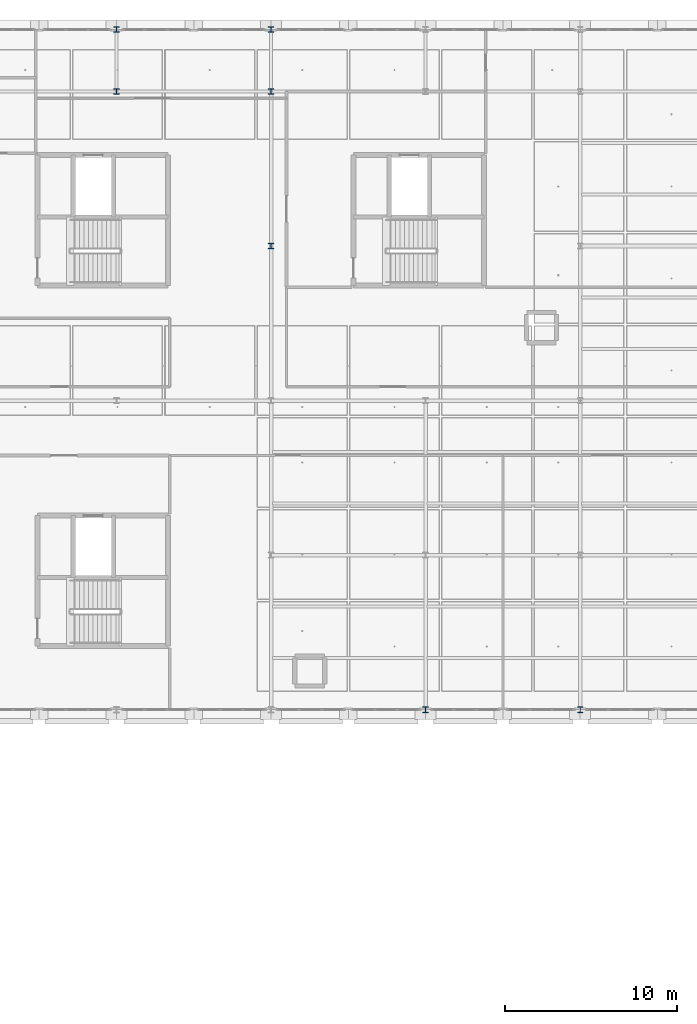
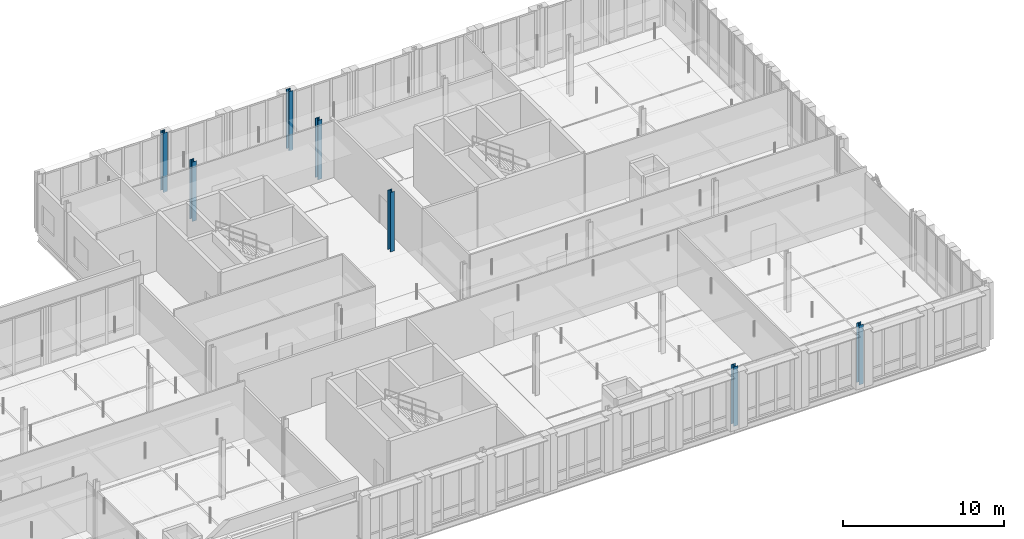
# One storey, part 13 of 89: 7 columns.
"""IFC4 building model written with IfcOpenShell, lengths in metres."""

from ifc_helpers import new_model, si_unit, direction, frame, origin, origin_2d, place, context, subcontext, project, spatial, i_section, extrude, material, material_profile, profile_set, type_object, element, save


model = new_model("IFC4")

# Units and contexts
model_context = context("Model", 3, precision=1e-05, world=origin(), true_north=direction((0.0, 1.0)))
body_context = subcontext(model_context, "Body", "Model", "MODEL_VIEW")
ifc_project = project(units=[si_unit("LENGTHUNIT", "METRE"), si_unit("AREAUNIT", "SQUARE_METRE"), si_unit("VOLUMEUNIT", "CUBIC_METRE"), si_unit("PLANEANGLEUNIT", "RADIAN"), si_unit("MASSUNIT", "GRAM", prefix="KILO"), si_unit("THERMODYNAMICTEMPERATUREUNIT", "KELVIN"), si_unit("POWERUNIT", "WATT")], contexts=[model_context])

# Site, building, storey
site_placement = place(None, origin())
site = spatial("IfcSite", under=ifc_project, at=site_placement, CompositionType="ELEMENT")
building_placement = place(site_placement, origin())
building = spatial("IfcBuilding", under=site, at=building_placement, Name="Tallowbark Science Centre", CompositionType="ELEMENT")
storey_placement = place(building_placement, frame((0.0, 0.0, 14.39990234375)))
storey = spatial("IfcBuildingStorey", under=building, at=storey_placement, Name="L03", CompositionType="ELEMENT", Elevation=14.39990234375)

# Columns
ifc_material = material(Name="Structural Steel Grade 300PLUS (300 MPa)", Category="steel")
ifc_material_profile = material_profile(ifc_material, i_section(OverallWidth=0.311279296875, OverallDepth=0.3271484375, WebThickness=0.015625, FlangeThickness=0.02490234375, FilletRadius=0.0166015625, at=origin_2d()), Name="310UC158")
ifc_profile_set = profile_set([ifc_material_profile], Name="Structural Steel Grade 300PLUS (300 MPa)")
column_type = type_object("IfcColumnType", Name="COL-UC310A", PredefinedType="COLUMN", material=ifc_profile_set)
for number, where, z_axis, x_axis, name in (
    (1, (121.5, 108.0, 0.0), (0.0, 0.0, 1.0), (1.0, 0.0, 0.0), "Column OBS-1_4 L03"),
    (2, (121.5, 111.60009765625, 0.0), (0.0, 0.0, 1.0), (1.0, 0.0, 0.0), "Column OBS-1_5 L03"),
    (3, (130.5, 99.0, 0.0), (0.0, 0.0, 1.0), (1.0, 0.0, 0.0), "Column OBS-2_3 L03"),
    (4, (130.5, 108.0, 0.0), (0.0, 0.0, 1.0), (1.0, 0.0, 0.0), "Column OBS-2_4 L03"),
    (5, (130.5, 111.60009765625, 0.0), (0.0, 0.0, 1.0), (1.0, 0.0, 0.0), "Column OBS-2_5 L03"),
    (6, (139.5, 72.0, 0.0), (0.0, 0.0, 1.0), (1.0, 0.0, 0.0), "Column OBS-3_0 L03"),
    (7, (148.5, 72.0, 0.0), (0.0, 0.0, 1.0), (1.0, 0.0, 0.0), "Column OBS-4_0 L03"),
):
    element("IfcColumn", number, at=place(storey_placement, frame(where, z_axis=z_axis, x_axis=x_axis)), inside=storey, type_object=column_type, Name=name, PredefinedType="COLUMN", context=body_context, shape_type="SweptSolid", body=[
        extrude(i_section(OverallWidth=0.311279296875, OverallDepth=0.3271484375, WebThickness=0.015625, FlangeThickness=0.02490234375, FilletRadius=0.0166015625, at=origin_2d()), origin(), (0.0, 0.0, 1.0), 4.5),
    ])

save(model, "model.ifc")
